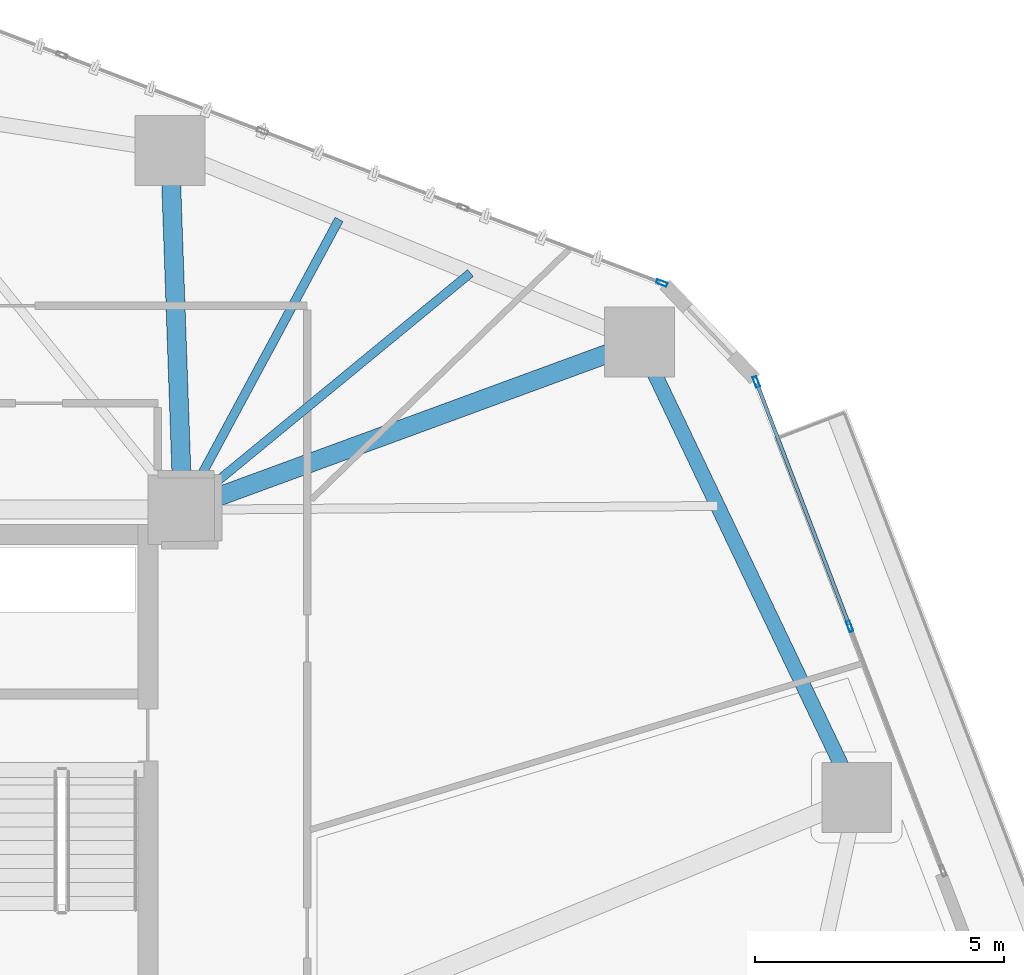
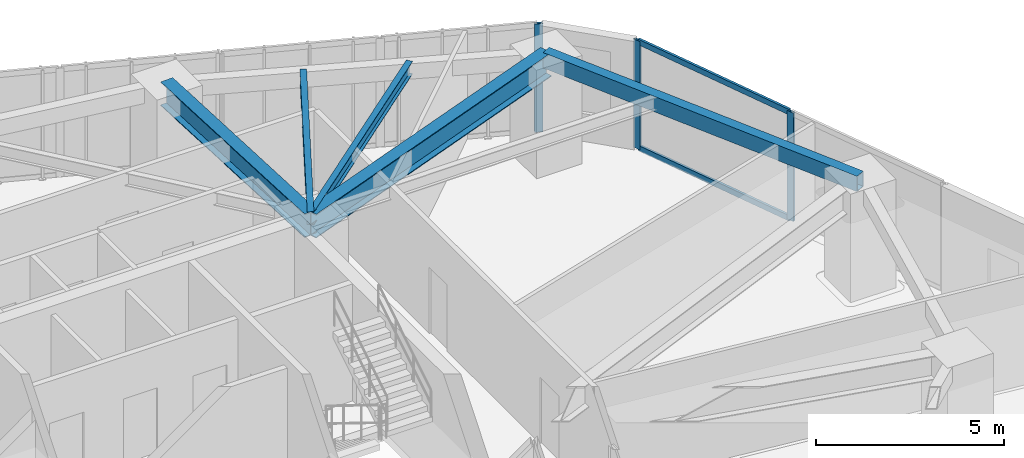
# One storey, part 12 of 23: 5 beams, 5 members, 2 elements without a shape of their own.
"""IFC4 building model written with IfcOpenShell, lengths in metres."""

import ifcopenshell
import ifcopenshell.guid

model = None  # the IFC model being written
_history = None  # IfcOwnerHistory: only IFC2X3 demands one
_inside = {}  # id of a spatial element -> (the spatial element, [elements in it])
_under = {}  # id of a project, library or spatial element -> (it, [spatial elements below it])
_declared = {}  # id of a project -> (the project, [libraries it declares])
_typed = {}  # id of a type object -> (the type object, [elements of that type])
_made_of = {}  # id of a material, layer set ... -> (it, [elements and type objects made of it])


def new_model(schema):
    """Start an empty IFC model of exactly this schema.

    Asked for "IFC4X3", IfcOpenShell would pick the latest addendum, in which some entities
    have other attributes; the version numbers below select the first issue.
    IFC2X3 requires an IfcOwnerHistory on every rooted entity: one is made here for all.
    """
    global model, _history
    if schema == "IFC4X3":
        model = ifcopenshell.file(schema_version=(4, 3, 0, 0))
    else:
        model = ifcopenshell.file(schema=schema)
    _inside.clear()
    _under.clear()
    _declared.clear()
    _typed.clear()
    _made_of.clear()
    _history = None
    if model.schema == "IFC2X3":
        org = make("IfcOrganization", Name="unknown")
        user = make(
            "IfcPersonAndOrganization",
            ThePerson=make("IfcPerson", FamilyName="unknown"),
            TheOrganization=org,
        )
        app = make(
            "IfcApplication",
            ApplicationDeveloper=org,
            Version="unknown",
            ApplicationFullName="unknown",
            ApplicationIdentifier="unknown",
        )
        _history = make(
            "IfcOwnerHistory",
            OwningUser=user,
            OwningApplication=app,
            ChangeAction="ADDED",
            CreationDate=0,
        )
    return model


def make(cls, **values):
    """One entity of the class cls with the attributes given. An attribute that is None is left unset."""
    return model.create_entity(
        cls, **{name: value for name, value in values.items() if value is not None}
    )


def rooted(cls, **values):
    """An entity with a GlobalId (a new one), such as an element, a storey or a relation."""
    return make(cls, GlobalId=ifcopenshell.guid.new(), OwnerHistory=_history, **values)


def si_unit(unit_type, name, prefix=None):
    """IfcSIUnit, for example si_unit("LENGTHUNIT", "METRE", prefix="MILLI")."""
    return make("IfcSIUnit", UnitType=unit_type, Prefix=prefix, Name=name)


def assignment(units):
    """IfcUnitAssignment: the units of a project."""
    return None if units is None else make("IfcUnitAssignment", Units=units)


def point(xyz):
    """IfcCartesianPoint."""
    return None if xyz is None else make("IfcCartesianPoint", Coordinates=xyz)


def direction(xyz):
    """IfcDirection."""
    return None if xyz is None else make("IfcDirection", DirectionRatios=xyz)


def frame(location, z_axis=None, x_axis=None):
    """IfcAxis2Placement3D, a coordinate frame: its origin and axes. An axis left out is left unset."""
    return make(
        "IfcAxis2Placement3D",
        Location=point(location),
        Axis=direction(z_axis),
        RefDirection=direction(x_axis),
    )


def frame_2d(location, x_axis=None):
    """IfcAxis2Placement2D, a coordinate frame in the plane: its origin and x axis."""
    return make(
        "IfcAxis2Placement2D", Location=point(location), RefDirection=direction(x_axis)
    )


def origin():
    """The frame at (0, 0, 0) with its axes left unset."""
    return frame((0.0, 0.0, 0.0))


def origin_2d():
    """The frame at (0, 0) in the plane with its x axis left unset."""
    return frame_2d((0.0, 0.0))


def place(relative_to, where):
    """IfcLocalPlacement: puts the frame where relative to a parent placement (None: the world)."""
    return make(
        "IfcLocalPlacement", PlacementRelTo=relative_to, RelativePlacement=where
    )


def context(
    kind, dimensions, precision=None, world=None, true_north=None, identifier=None
):
    """IfcGeometricRepresentationContext, for example the 3D "Model" context."""
    return make(
        "IfcGeometricRepresentationContext",
        ContextIdentifier=identifier,
        ContextType=kind,
        CoordinateSpaceDimension=dimensions,
        Precision=precision,
        WorldCoordinateSystem=world,
        TrueNorth=true_north,
    )


def subcontext(parent, identifier, kind, view, scale=None):
    """IfcGeometricRepresentationSubContext, for example "Body" below "Model"."""
    return make(
        "IfcGeometricRepresentationSubContext",
        ContextIdentifier=identifier,
        ContextType=kind,
        ParentContext=parent,
        TargetScale=scale,
        TargetView=view,
    )


def project(units=None, contexts=None):
    """IfcProject with its units and contexts."""
    return rooted(
        "IfcProject",
        Name="project",
        RepresentationContexts=contexts,
        UnitsInContext=assignment(units),
    )


def spatial(cls, under=None, at=None, **own):
    """A site, building, storey or space (cls), placed at a placement, below another one or the project."""
    s = rooted(cls, ObjectPlacement=at, **own)
    if under is not None:
        _under.setdefault(under.id(), (under, []))[1].append(s)
    return s


def profile(cls, at=None, kind="AREA", **sizes):
    """A parametric profile (cls). Its sizes go by their IFC names, for example OverallWidth=200.0."""
    return make(cls, ProfileType=kind, Position=at, **sizes)


def hollow_rectangle(**sizes):
    """IfcRectangleHollowProfileDef."""
    return profile("IfcRectangleHollowProfileDef", **sizes)


def i_section(**sizes):
    """IfcIShapeProfileDef."""
    return profile("IfcIShapeProfileDef", **sizes)


def extrude(swept, where, along, depth):
    """IfcExtrudedAreaSolid: the profile swept, set in the frame where, extruded along a direction by depth."""
    return make(
        "IfcExtrudedAreaSolid",
        SweptArea=swept,
        Position=where,
        ExtrudedDirection=direction(along),
        Depth=depth,
    )


def shape(context_of_items, identifier, shape_type, items):
    """IfcShapeRepresentation: the items that make up one representation, for example the "Body"."""
    return make(
        "IfcShapeRepresentation",
        ContextOfItems=context_of_items,
        RepresentationIdentifier=identifier,
        RepresentationType=shape_type,
        Items=items,
    )


def source(mapping_origin, context_of_items, identifier, shape_type, items):
    """IfcRepresentationMap: a shape defined once, which mapped items show again and again."""
    return make(
        "IfcRepresentationMap",
        MappingOrigin=mapping_origin,
        MappedRepresentation=shape(context_of_items, identifier, shape_type, items),
    )


def transform(
    local_origin,
    x_axis=None,
    y_axis=None,
    z_axis=None,
    scale=None,
    scale2=None,
    scale3=None,
    uniform=True,
):
    """IfcCartesianTransformationOperator3D, or its non-uniform kind. x_axis, y_axis, z_axis: its Axis1, 2, 3."""
    if uniform:
        return make(
            "IfcCartesianTransformationOperator3D",
            Axis1=direction(x_axis),
            Axis2=direction(y_axis),
            LocalOrigin=point(local_origin),
            Scale=scale,
            Axis3=direction(z_axis),
        )
    return make(
        "IfcCartesianTransformationOperator3DnonUniform",
        Axis1=direction(x_axis),
        Axis2=direction(y_axis),
        LocalOrigin=point(local_origin),
        Scale=scale,
        Axis3=direction(z_axis),
        Scale2=scale2,
        Scale3=scale3,
    )


def mapped(mapping_source, mapping_target):
    """IfcMappedItem: shows the shape of a source again, moved by a transform."""
    return make(
        "IfcMappedItem", MappingSource=mapping_source, MappingTarget=mapping_target
    )


def material(Name=None, Category=None):
    """IfcMaterial."""
    return make("IfcMaterial", Name=Name, Category=Category)


def layer(
    of_material, thickness, ventilated=None, Name=None, Category=None, Priority=None
):
    """IfcMaterialLayer: one layer of a wall or slab, of a material (None: an air gap)."""
    return make(
        "IfcMaterialLayer",
        Material=of_material,
        LayerThickness=thickness,
        IsVentilated=ventilated,
        Name=Name,
        Category=Category,
        Priority=Priority,
    )


def layer_set(layers, Name=None):
    """IfcMaterialLayerSet."""
    return make("IfcMaterialLayerSet", MaterialLayers=layers, LayerSetName=Name)


def material_profile(
    of_material, cross_section, Name=None, Category=None, Priority=None
):
    """IfcMaterialProfile: a cross section and its material."""
    return make(
        "IfcMaterialProfile",
        Name=Name,
        Material=of_material,
        Profile=cross_section,
        Priority=Priority,
        Category=Category,
    )


def profile_set(profiles, Name=None, composite=None):
    """IfcMaterialProfileSet."""
    return make(
        "IfcMaterialProfileSet",
        Name=Name,
        MaterialProfiles=profiles,
        CompositeProfile=composite,
    )


def made_of(thing, what):
    """Note that an element or type object is made of a material, layer set ...; save() writes the relation."""
    if what is not None:
        _made_of.setdefault(what.id(), (what, []))[1].append(thing)
    return thing


def type_object(cls, material=None, **own):
    """A type object (cls), such as IfcWallType, which elements share."""
    return made_of(rooted(cls, **own), material)


def type_shapes(of_type, sources):
    """Give a type object the sources (RepresentationMaps) that its elements show as mapped items."""
    of_type.RepresentationMaps = sources


def element(
    cls,
    number,
    at=None,
    inside=None,
    cuts=None,
    type_object=None,
    material=None,
    context=None,
    identifier="Body",
    shape_type=None,
    held_by="IfcProductDefinitionShape",
    body=None,
    shapes=None,
    **own,
):
    """One element of the class cls, such as IfcWall. Its Tag is "e" and its number.

    at: its placement. inside: the storey or other place that contains it. cuts: it is an
    opening in that element (IfcRelVoidsElement). A single representation is given by context,
    identifier, shape_type and body (its items); several are given by shapes. held_by: the class
    of the entity that holds the representations. save() writes the other relations.
    """
    e = rooted(cls, Tag="e%d" % number, ObjectPlacement=at, **own)
    if body is not None:
        shapes = [shape(context, identifier, shape_type, body)]
    if shapes is not None:
        e.Representation = make(held_by, Representations=shapes)
    if inside is not None:
        _inside.setdefault(inside.id(), (inside, []))[1].append(e)
    if cuts is not None:
        rooted(
            "IfcRelVoidsElement", RelatingBuildingElement=cuts, RelatedOpeningElement=e
        )
    if type_object is not None:
        _typed.setdefault(type_object.id(), (type_object, []))[1].append(e)
    return made_of(e, material)


def aggregate(whole, parts):
    """IfcRelAggregates: a whole, such as a stair, and the parts it consists of."""
    return rooted("IfcRelAggregates", RelatingObject=whole, RelatedObjects=parts)


def save(model, path):
    """Write the relations noted so far, then the file.

    IfcRelAggregates (storeys below a building ...), IfcRelContainedInSpatialStructure (elements
    in a storey), IfcRelDefinesByType, IfcRelAssociatesMaterial and IfcRelDeclares: one each for
    every whole, place, type object, material and project.
    """
    for whole, parts in _under.values():
        aggregate(whole, parts)
    for where, things in _inside.values():
        rooted(
            "IfcRelContainedInSpatialStructure",
            RelatedElements=things,
            RelatingStructure=where,
        )
    for kind, things in _typed.values():
        rooted("IfcRelDefinesByType", RelatedObjects=things, RelatingType=kind)
    for what, things in _made_of.values():
        rooted("IfcRelAssociatesMaterial", RelatedObjects=things, RelatingMaterial=what)
    for by, libraries in _declared.values():
        rooted("IfcRelDeclares", RelatingContext=by, RelatedDefinitions=libraries)
    model.write(path)


model = new_model("IFC4")

# Units and contexts
model_context = context("Model", 3, precision=1e-05, world=origin(), true_north=direction((0.0, 1.0)))
body_context = subcontext(model_context, "Body", "Model", "MODEL_VIEW")
ifc_project = project(units=[si_unit("LENGTHUNIT", "METRE"), si_unit("AREAUNIT", "SQUARE_METRE"), si_unit("VOLUMEUNIT", "CUBIC_METRE"), si_unit("PLANEANGLEUNIT", "RADIAN"), si_unit("MASSUNIT", "GRAM", prefix="KILO")], contexts=[model_context])

# Site, building, storey
site_placement = place(None, origin())
site = spatial("IfcSite", under=ifc_project, at=site_placement, CompositionType="ELEMENT")
building_placement = place(site_placement, origin())
building = spatial("IfcBuilding", under=site, at=building_placement, Name="Talar Marvaseh", CompositionType="ELEMENT")
storey_placement = place(building_placement, frame((0.0, 0.0, 27.800048828125)))
storey = spatial("IfcBuildingStorey", under=building, at=storey_placement, Name="L06", CompositionType="ELEMENT", Elevation=27.800048828125)

# Beams
ifc_material_1 = material(Name="Steel S355", Category="steel")
ifc_material_profile_1 = material_profile(ifc_material_1, hollow_rectangle(XDim=0.300048828125, YDim=0.5, WallThickness=0.02001953125, at=origin_2d()), Name="RHS500x300x20")
ifc_profile_set_1 = profile_set([ifc_material_profile_1], Name="Steel S355")
beam_type_1 = type_object("IfcBeamType", Name="Zone 1 Perimeter Spandrel Beam RHS500x300x20", PredefinedType="SPANDREL", material=ifc_profile_set_1)
beam_1_placement = place(storey_placement, frame((42.47705078125, 40.26904296875, 3.27001953125), z_axis=(0.430480372911, -0.902599938255, 0.0), x_axis=(0.902599938255, 0.430480372911, 0.0)))
element("IfcBeam", 1, at=beam_1_placement, inside=storey, type_object=beam_type_1, Name="L06 Zone 1 Perimeter Spandrel Beam RHS500x300x20", PredefinedType="SPANDREL", context=body_context, shape_type="SweptSolid", body=[
    extrude(hollow_rectangle(XDim=0.300048828125, YDim=0.5, WallThickness=0.02001953125, at=origin_2d()), origin(), (0.0, 0.0, 1.0), 10.137451171875),
])
ifc_material_profile_2 = material_profile(ifc_material_1, i_section(OverallWidth=0.381103515625, OverallDepth=0.77294921875, WebThickness=0.0166015625, FlangeThickness=0.027099609375, at=origin_2d()), Name="W760x257")
ifc_profile_set_2 = profile_set([ifc_material_profile_2], Name="Steel S355")
beam_type_2 = type_object("IfcBeamType", Name="Zone 1 Radial Floor Girder W760x257", PredefinedType="BEAM", material=ifc_profile_set_2)
beam_2_placement = place(storey_placement, frame((42.47705078125, 40.26904296875, 3.133544921875), z_axis=(-0.938736057616, -0.344636930887, 0.0), x_axis=(0.344636930887, -0.938736057616, 0.0)))
element("IfcBeam", 2, at=beam_2_placement, inside=storey, type_object=beam_type_2, Name="L06 Zone 1 Radial Floor Girder W760x257", PredefinedType="BEAM", context=body_context, shape_type="SweptSolid", body=[
    extrude(i_section(OverallWidth=0.381103515625, OverallDepth=0.77294921875, WebThickness=0.0166015625, FlangeThickness=0.027099609375, at=origin_2d()), origin(), (0.0, 0.0, 1.0), 9.77587890625),
])
beam_3_placement = place(storey_placement, frame((33.0458984375, 44.117919921875, 3.133544921875), z_axis=(0.03518874657, -0.999380684281, 0.0), x_axis=(0.999380684281, 0.03518874657, 0.0)))
element("IfcBeam", 3, at=beam_3_placement, inside=storey, type_object=beam_type_2, Name="L06 Zone 1 Radial Floor Girder W760x257", PredefinedType="BEAM", context=body_context, shape_type="SweptSolid", body=[
    extrude(i_section(OverallWidth=0.381103515625, OverallDepth=0.77294921875, WebThickness=0.0166015625, FlangeThickness=0.027099609375, at=origin_2d()), origin(), (0.0, 0.0, 1.0), 7.222412109375),
])
ifc_material_profile_3 = material_profile(ifc_material_1, i_section(OverallWidth=0.179931640625, OverallDepth=0.4130859375, WebThickness=0.009765625, FlangeThickness=0.01611328125, at=origin_2d()), Name="W410x75")
ifc_profile_set_3 = profile_set([ifc_material_profile_3], Name="Steel S355")
beam_type_3 = type_object("IfcBeamType", Name="Zone 1 Secondary Floor Joist W410x75", PredefinedType="JOIST", material=ifc_profile_set_3)
beam_4_placement = place(storey_placement, frame((36.441162109375, 42.732421875, 3.3134765625), z_axis=(-0.474161357627, -0.880437963137, 0.0), x_axis=(0.880437963137, -0.474161357627, 0.0)))
element("IfcBeam", 4, at=beam_4_placement, inside=storey, type_object=beam_type_3, Name="L06 Zone 1 Secondary Floor Joist W410x75", PredefinedType="JOIST", context=body_context, shape_type="SweptSolid", body=[
    extrude(i_section(OverallWidth=0.179931640625, OverallDepth=0.4130859375, WebThickness=0.009765625, FlangeThickness=0.01611328125, at=origin_2d()), origin(), (0.0, 0.0, 1.0), 6.62451171875),
])
beam_5_placement = place(storey_placement, frame((39.081787109375, 41.654541015625, 3.3134765625), z_axis=(-0.772375351123, -0.635166369526, 0.0), x_axis=(0.635166369526, -0.772375351123, 0.0)))
element("IfcBeam", 5, at=beam_5_placement, inside=storey, type_object=beam_type_3, Name="L06 Zone 1 Secondary Floor Joist W410x75", PredefinedType="JOIST", context=body_context, shape_type="SweptSolid", body=[
    extrude(i_section(OverallWidth=0.179931640625, OverallDepth=0.4130859375, WebThickness=0.009765625, FlangeThickness=0.01611328125, at=origin_2d()), origin(), (0.0, 0.0, 1.0), 7.485595703125),
])

# Curtain wall, member
ifc_material_2 = material(Name="Architectural Aluminium", Category="aluminium")
ifc_layer = layer(ifc_material_2, 0.219970703125)
ifc_layer_set = layer_set([ifc_layer], Name="Architectural Aluminium")
curtain_wall_type = type_object("IfcCurtainWallType", Name="Unitised Low-E Museum Curtain Wall Z1", PredefinedType="NOTDEFINED", material=ifc_layer_set)
curtain_wall_1_placement = place(storey_placement, origin())
curtain_wall_1 = element("IfcCurtainWall", 6, at=curtain_wall_1_placement, inside=storey, type_object=curtain_wall_type, Name="L06 Unitised Low-E Museum Curtain Wall Z1", PredefinedType="NOTDEFINED")
ifc_material_profile_4 = material_profile(ifc_material_2, hollow_rectangle(XDim=0.080078125, YDim=0.219970703125, WallThickness=0.0048828125, at=origin_2d()), Name="RHS220x80x5")
ifc_profile_set_4 = profile_set([ifc_material_profile_4], Name="Architectural Aluminium")
member_type_1 = type_object("IfcMemberType", Name="Unitised Curtain Wall Heavy Mullion RHS220x80x5", PredefinedType="MULLION", material=ifc_profile_set_4)
shared_shape_1 = source(origin(), body_context, "Body", "SweptSolid", [
    extrude(hollow_rectangle(XDim=0.080078125, YDim=0.219970703125, WallThickness=0.0048828125, at=origin_2d()), origin(), (0.0, 0.0, 1.0), 3.52001953125),
])
type_shapes(member_type_1, [shared_shape_1])
member_1_placement = place(storey_placement, frame((42.927001953125, 41.453125, 0.0), z_axis=(0.0, 0.0, 1.0), x_axis=(0.355399736252, 0.934714409578, 0.0)))
member_1 = element("IfcMember", 7, at=member_1_placement, type_object=member_type_1, Name="CW-Z1 mullion 5", PredefinedType="MULLION", context=body_context, shape_type="MappedRepresentation", body=[
    mapped(shared_shape_1, transform((0.0, 0.0, 0.0), x_axis=(1.0, 0.0, 0.0), y_axis=(0.0, 1.0, 0.0), z_axis=(0.0, 0.0, 1.0), scale=1.0)),
])
aggregate(curtain_wall_1, [member_1])

# Curtain wall, members
curtain_wall_2_placement = place(storey_placement, origin())
curtain_wall_2 = element("IfcCurtainWall", 8, at=curtain_wall_2_placement, inside=storey, type_object=curtain_wall_type, Name="L06 Unitised Low-E Museum Curtain Wall Z1", PredefinedType="NOTDEFINED")
member_2_placement = place(storey_placement, frame((44.823486328125, 39.468017578125, 0.0), z_axis=(0.0, 0.0, 1.0), x_axis=(0.934179271145, 0.356803992918, 0.0)))
member_2 = element("IfcMember", 9, at=member_2_placement, type_object=member_type_1, Name="CW-Z1 mullion 1", PredefinedType="MULLION", context=body_context, shape_type="MappedRepresentation", body=[
    mapped(shared_shape_1, transform((0.0, 0.0, 0.0), x_axis=(1.0, 0.0, 0.0), y_axis=(0.0, 1.0, 0.0), z_axis=(0.0, 0.0, 1.0), scale=1.0)),
])
member_3_placement = place(storey_placement, frame((46.699462890625, 34.5556640625, 0.0), z_axis=(0.0, 0.0, 1.0), x_axis=(0.934179271145, 0.356803992918, 0.0)))
member_3 = element("IfcMember", 10, at=member_3_placement, type_object=member_type_1, Name="CW-Z1 mullion 2", PredefinedType="MULLION", context=body_context, shape_type="MappedRepresentation", body=[
    mapped(shared_shape_1, transform((0.0, 0.0, 0.0), x_axis=(1.0, 0.0, 0.0), y_axis=(0.0, 1.0, 0.0), z_axis=(0.0, 0.0, 1.0), scale=1.0)),
])
ifc_material_profile_5 = material_profile(ifc_material_2, hollow_rectangle(XDim=0.074951171875, YDim=0.179931640625, WallThickness=0.0048828125, at=origin_2d()), Name="RHS180x75x5")
ifc_profile_set_5 = profile_set([ifc_material_profile_5], Name="Architectural Aluminium")
member_type_2 = type_object("IfcMemberType", Name="Unitised Curtain Wall Transom RHS180x75x5", PredefinedType="USERDEFINED", material=ifc_profile_set_5)
shared_shape_2 = source(origin(), body_context, "Body", "SweptSolid", [
    extrude(hollow_rectangle(XDim=0.074951171875, YDim=0.179931640625, WallThickness=0.0048828125, at=origin_2d()), origin(), (0.0, 0.0, 1.0), 5.178466796875),
])
type_shapes(member_type_2, [shared_shape_2])
member_4_placement = place(storey_placement, frame((44.837646484375, 39.4306640625, 0.037353515625), z_axis=(0.356795078974, -0.934182675722, 0.0), x_axis=(0.934182675722, 0.356795078974, 0.0)))
member_4 = element("IfcMember", 11, at=member_4_placement, type_object=member_type_2, Name="CW-Z1 transom 1.1", ObjectType="TRANSOM", PredefinedType="USERDEFINED", context=body_context, shape_type="MappedRepresentation", body=[
    mapped(shared_shape_2, transform((0.0, 0.0, 0.0), x_axis=(1.0, 0.0, 0.0), y_axis=(0.0, 1.0, 0.0), z_axis=(0.0, 0.0, 1.0), scale=1.0)),
])
member_5_placement = place(storey_placement, frame((44.837646484375, 39.4306640625, 3.482421875), z_axis=(0.356795078974, -0.934182675722, 0.0), x_axis=(0.934182675722, 0.356795078974, 0.0)))
member_5 = element("IfcMember", 12, at=member_5_placement, type_object=member_type_2, Name="CW-Z1 transom 1.2", ObjectType="TRANSOM", PredefinedType="USERDEFINED", context=body_context, shape_type="MappedRepresentation", body=[
    mapped(shared_shape_2, transform((0.0, 0.0, 0.0), x_axis=(1.0, 0.0, 0.0), y_axis=(0.0, 1.0, 0.0), z_axis=(0.0, 0.0, 1.0), scale=1.0)),
])
aggregate(curtain_wall_2, [member_2, member_3, member_4, member_5])

save(model, "model.ifc")
